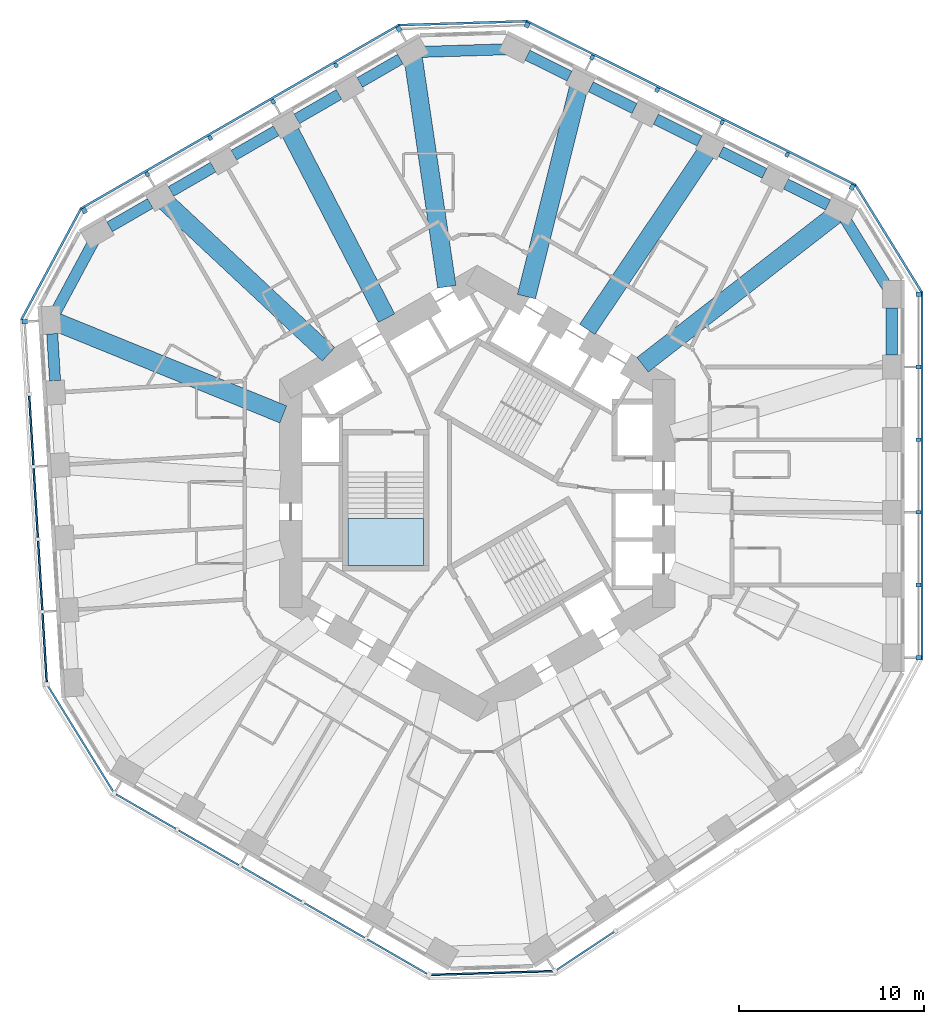
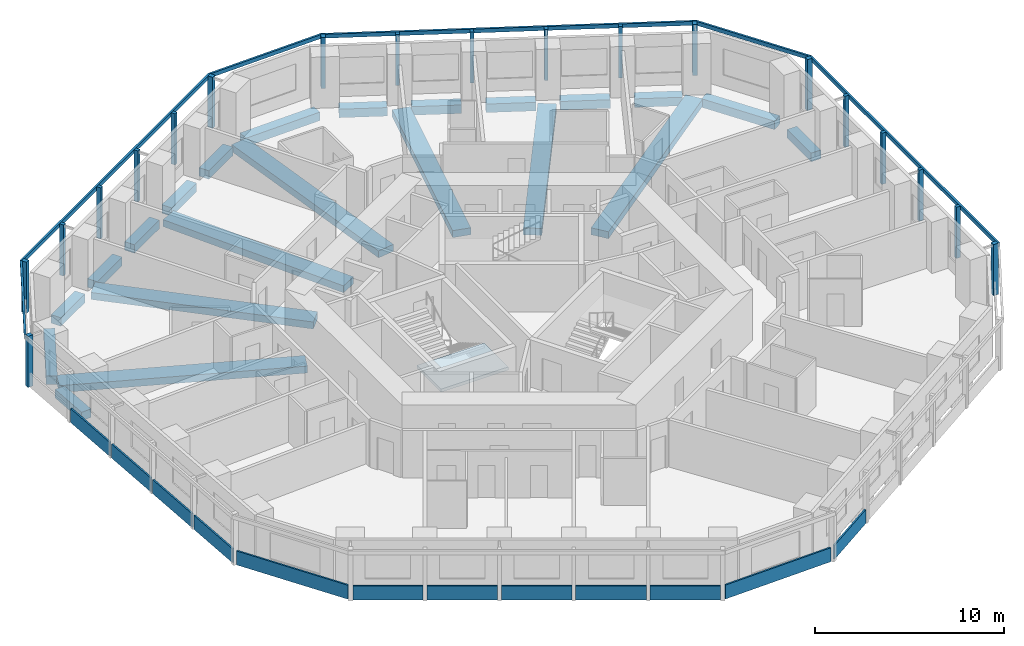
# One storey, part 2 of 12: 25 members, 22 beams, 12 plates, 1 slab, 12 elements without a shape of their own.
"""IFC4 building model written with IfcOpenShell, lengths in metres."""

import ifcopenshell
import ifcopenshell.guid

model = None  # the IFC model being written
_history = None  # IfcOwnerHistory: only IFC2X3 demands one
_inside = {}  # id of a spatial element -> (the spatial element, [elements in it])
_under = {}  # id of a project, library or spatial element -> (it, [spatial elements below it])
_declared = {}  # id of a project -> (the project, [libraries it declares])
_typed = {}  # id of a type object -> (the type object, [elements of that type])
_made_of = {}  # id of a material, layer set ... -> (it, [elements and type objects made of it])


def new_model(schema):
    """Start an empty IFC model of exactly this schema.

    Asked for "IFC4X3", IfcOpenShell would pick the latest addendum, in which some entities
    have other attributes; the version numbers below select the first issue.
    IFC2X3 requires an IfcOwnerHistory on every rooted entity: one is made here for all.
    """
    global model, _history
    if schema == "IFC4X3":
        model = ifcopenshell.file(schema_version=(4, 3, 0, 0))
    else:
        model = ifcopenshell.file(schema=schema)
    _inside.clear()
    _under.clear()
    _declared.clear()
    _typed.clear()
    _made_of.clear()
    _history = None
    if model.schema == "IFC2X3":
        org = make("IfcOrganization", Name="unknown")
        user = make(
            "IfcPersonAndOrganization",
            ThePerson=make("IfcPerson", FamilyName="unknown"),
            TheOrganization=org,
        )
        app = make(
            "IfcApplication",
            ApplicationDeveloper=org,
            Version="unknown",
            ApplicationFullName="unknown",
            ApplicationIdentifier="unknown",
        )
        _history = make(
            "IfcOwnerHistory",
            OwningUser=user,
            OwningApplication=app,
            ChangeAction="ADDED",
            CreationDate=0,
        )
    return model


def make(cls, **values):
    """One entity of the class cls with the attributes given. An attribute that is None is left unset."""
    return model.create_entity(
        cls, **{name: value for name, value in values.items() if value is not None}
    )


def rooted(cls, **values):
    """An entity with a GlobalId (a new one), such as an element, a storey or a relation."""
    return make(cls, GlobalId=ifcopenshell.guid.new(), OwnerHistory=_history, **values)


def si_unit(unit_type, name, prefix=None):
    """IfcSIUnit, for example si_unit("LENGTHUNIT", "METRE", prefix="MILLI")."""
    return make("IfcSIUnit", UnitType=unit_type, Prefix=prefix, Name=name)


def assignment(units):
    """IfcUnitAssignment: the units of a project."""
    return None if units is None else make("IfcUnitAssignment", Units=units)


def point(xyz):
    """IfcCartesianPoint."""
    return None if xyz is None else make("IfcCartesianPoint", Coordinates=xyz)


def direction(xyz):
    """IfcDirection."""
    return None if xyz is None else make("IfcDirection", DirectionRatios=xyz)


def frame(location, z_axis=None, x_axis=None):
    """IfcAxis2Placement3D, a coordinate frame: its origin and axes. An axis left out is left unset."""
    return make(
        "IfcAxis2Placement3D",
        Location=point(location),
        Axis=direction(z_axis),
        RefDirection=direction(x_axis),
    )


def frame_2d(location, x_axis=None):
    """IfcAxis2Placement2D, a coordinate frame in the plane: its origin and x axis."""
    return make(
        "IfcAxis2Placement2D", Location=point(location), RefDirection=direction(x_axis)
    )


def origin():
    """The frame at (0, 0, 0) with its axes left unset."""
    return frame((0.0, 0.0, 0.0))


def origin_2d():
    """The frame at (0, 0) in the plane with its x axis left unset."""
    return frame_2d((0.0, 0.0))


def place(relative_to, where):
    """IfcLocalPlacement: puts the frame where relative to a parent placement (None: the world)."""
    return make(
        "IfcLocalPlacement", PlacementRelTo=relative_to, RelativePlacement=where
    )


def context(
    kind, dimensions, precision=None, world=None, true_north=None, identifier=None
):
    """IfcGeometricRepresentationContext, for example the 3D "Model" context."""
    return make(
        "IfcGeometricRepresentationContext",
        ContextIdentifier=identifier,
        ContextType=kind,
        CoordinateSpaceDimension=dimensions,
        Precision=precision,
        WorldCoordinateSystem=world,
        TrueNorth=true_north,
    )


def subcontext(parent, identifier, kind, view, scale=None):
    """IfcGeometricRepresentationSubContext, for example "Body" below "Model"."""
    return make(
        "IfcGeometricRepresentationSubContext",
        ContextIdentifier=identifier,
        ContextType=kind,
        ParentContext=parent,
        TargetScale=scale,
        TargetView=view,
    )


def project(units=None, contexts=None):
    """IfcProject with its units and contexts."""
    return rooted(
        "IfcProject",
        Name="project",
        RepresentationContexts=contexts,
        UnitsInContext=assignment(units),
    )


def spatial(cls, under=None, at=None, **own):
    """A site, building, storey or space (cls), placed at a placement, below another one or the project."""
    s = rooted(cls, ObjectPlacement=at, **own)
    if under is not None:
        _under.setdefault(under.id(), (under, []))[1].append(s)
    return s


def polyline(points):
    """IfcPolyline through the points."""
    return make("IfcPolyline", Points=[point(p) for p in points])


def profile(cls, at=None, kind="AREA", **sizes):
    """A parametric profile (cls). Its sizes go by their IFC names, for example OverallWidth=200.0."""
    return make(cls, ProfileType=kind, Position=at, **sizes)


def rectangle(**sizes):
    """IfcRectangleProfileDef."""
    return profile("IfcRectangleProfileDef", **sizes)


def outline(outer, holes=None, kind="AREA"):
    """IfcArbitraryClosedProfileDef: a profile drawn as a closed curve; with holes, ...WithVoids."""
    if holes is None:
        return make("IfcArbitraryClosedProfileDef", ProfileType=kind, OuterCurve=outer)
    return make(
        "IfcArbitraryProfileDefWithVoids",
        ProfileType=kind,
        OuterCurve=outer,
        InnerCurves=holes,
    )


def extrude(swept, where, along, depth):
    """IfcExtrudedAreaSolid: the profile swept, set in the frame where, extruded along a direction by depth."""
    return make(
        "IfcExtrudedAreaSolid",
        SweptArea=swept,
        Position=where,
        ExtrudedDirection=direction(along),
        Depth=depth,
    )


def shape(context_of_items, identifier, shape_type, items):
    """IfcShapeRepresentation: the items that make up one representation, for example the "Body"."""
    return make(
        "IfcShapeRepresentation",
        ContextOfItems=context_of_items,
        RepresentationIdentifier=identifier,
        RepresentationType=shape_type,
        Items=items,
    )


def material(Name=None, Category=None):
    """IfcMaterial."""
    return make("IfcMaterial", Name=Name, Category=Category)


def layer(
    of_material, thickness, ventilated=None, Name=None, Category=None, Priority=None
):
    """IfcMaterialLayer: one layer of a wall or slab, of a material (None: an air gap)."""
    return make(
        "IfcMaterialLayer",
        Material=of_material,
        LayerThickness=thickness,
        IsVentilated=ventilated,
        Name=Name,
        Category=Category,
        Priority=Priority,
    )


def layer_set(layers, Name=None):
    """IfcMaterialLayerSet."""
    return make("IfcMaterialLayerSet", MaterialLayers=layers, LayerSetName=Name)


def material_profile(
    of_material, cross_section, Name=None, Category=None, Priority=None
):
    """IfcMaterialProfile: a cross section and its material."""
    return make(
        "IfcMaterialProfile",
        Name=Name,
        Material=of_material,
        Profile=cross_section,
        Priority=Priority,
        Category=Category,
    )


def profile_set(profiles, Name=None, composite=None):
    """IfcMaterialProfileSet."""
    return make(
        "IfcMaterialProfileSet",
        Name=Name,
        MaterialProfiles=profiles,
        CompositeProfile=composite,
    )


def made_of(thing, what):
    """Note that an element or type object is made of a material, layer set ...; save() writes the relation."""
    if what is not None:
        _made_of.setdefault(what.id(), (what, []))[1].append(thing)
    return thing


def type_object(cls, material=None, **own):
    """A type object (cls), such as IfcWallType, which elements share."""
    return made_of(rooted(cls, **own), material)


def element(
    cls,
    number,
    at=None,
    inside=None,
    cuts=None,
    type_object=None,
    material=None,
    context=None,
    identifier="Body",
    shape_type=None,
    held_by="IfcProductDefinitionShape",
    body=None,
    shapes=None,
    **own,
):
    """One element of the class cls, such as IfcWall. Its Tag is "e" and its number.

    at: its placement. inside: the storey or other place that contains it. cuts: it is an
    opening in that element (IfcRelVoidsElement). A single representation is given by context,
    identifier, shape_type and body (its items); several are given by shapes. held_by: the class
    of the entity that holds the representations. save() writes the other relations.
    """
    e = rooted(cls, Tag="e%d" % number, ObjectPlacement=at, **own)
    if body is not None:
        shapes = [shape(context, identifier, shape_type, body)]
    if shapes is not None:
        e.Representation = make(held_by, Representations=shapes)
    if inside is not None:
        _inside.setdefault(inside.id(), (inside, []))[1].append(e)
    if cuts is not None:
        rooted(
            "IfcRelVoidsElement", RelatingBuildingElement=cuts, RelatedOpeningElement=e
        )
    if type_object is not None:
        _typed.setdefault(type_object.id(), (type_object, []))[1].append(e)
    return made_of(e, material)


def aggregate(whole, parts):
    """IfcRelAggregates: a whole, such as a stair, and the parts it consists of."""
    return rooted("IfcRelAggregates", RelatingObject=whole, RelatedObjects=parts)


def save(model, path):
    """Write the relations noted so far, then the file.

    IfcRelAggregates (storeys below a building ...), IfcRelContainedInSpatialStructure (elements
    in a storey), IfcRelDefinesByType, IfcRelAssociatesMaterial and IfcRelDeclares: one each for
    every whole, place, type object, material and project.
    """
    for whole, parts in _under.values():
        aggregate(whole, parts)
    for where, things in _inside.values():
        rooted(
            "IfcRelContainedInSpatialStructure",
            RelatedElements=things,
            RelatingStructure=where,
        )
    for kind, things in _typed.values():
        rooted("IfcRelDefinesByType", RelatedObjects=things, RelatingType=kind)
    for what, things in _made_of.values():
        rooted("IfcRelAssociatesMaterial", RelatedObjects=things, RelatingMaterial=what)
    for by, libraries in _declared.values():
        rooted("IfcRelDeclares", RelatingContext=by, RelatedDefinitions=libraries)
    model.write(path)


model = new_model("IFC4")

# Units and contexts
model_context = context("Model", 3, precision=1e-05, world=origin(), true_north=direction((0.0, 1.0)))
body_context = subcontext(model_context, "Body", "Model", "MODEL_VIEW")
ifc_project = project(units=[si_unit("LENGTHUNIT", "METRE"), si_unit("AREAUNIT", "SQUARE_METRE"), si_unit("VOLUMEUNIT", "CUBIC_METRE"), si_unit("PLANEANGLEUNIT", "RADIAN"), si_unit("MASSUNIT", "GRAM", prefix="KILO")], contexts=[model_context])

# Site, building, storey
site_placement = place(None, origin())
site = spatial("IfcSite", under=ifc_project, at=site_placement, CompositionType="ELEMENT")
building_placement = place(site_placement, origin())
building = spatial("IfcBuilding", under=site, at=building_placement, Name="Vanh Sen Convention Tower", CompositionType="ELEMENT")
storey_placement = place(building_placement, frame((0.0, 0.0, 57.199951171875)))
storey = spatial("IfcBuildingStorey", under=building, at=storey_placement, Name="L11", CompositionType="ELEMENT", Elevation=57.199951171875)

# Curtain wall, members
ifc_material_1 = material(Name="Concrete C50/60", Category="concrete")
curtain_wall_type = type_object("IfcCurtainWallType", Name="Outer skin hotel zone", PredefinedType="NOTDEFINED", material=ifc_material_1)
curtain_wall_1_placement = place(storey_placement, origin())
curtain_wall_1 = element("IfcCurtainWall", 1, at=curtain_wall_1_placement, inside=storey, type_object=curtain_wall_type, Name="OUTER SKIN E L11", PredefinedType="NOTDEFINED")
ifc_material_profile_1 = material_profile(ifc_material_1, rectangle(XDim=0.25, YDim=0.300048828125, at=origin_2d()), Name="Outer skin precast corner fin 250 x 300")
ifc_profile_set_1 = profile_set([ifc_material_profile_1], Name="Concrete C50/60")
member_type_1 = type_object("IfcMemberType", Name="Outer skin precast corner fin 250 x 300", PredefinedType="MULLION", material=ifc_profile_set_1)
member_1_placement = place(storey_placement, frame((23.89990234375, -8.899169921875, 0.0), z_axis=(0.0, 0.0, 1.0), x_axis=(0.0, 1.0, 0.0)))
member_1 = element("IfcMember", 2, at=member_1_placement, type_object=member_type_1, Name="OUTER SKIN CORNER FIN 1 E L11", PredefinedType="MULLION", context=body_context, shape_type="SweptSolid", body=[
    extrude(rectangle(XDim=0.25, YDim=0.300048828125, at=origin_2d()), origin(), (0.0, 0.0, 1.0), 3.300048828125),
])
member_2_placement = place(storey_placement, frame((23.89990234375, 10.773681640625, 0.0), z_axis=(0.0, 0.0, 1.0), x_axis=(0.0, 1.0, 0.0)))
member_2 = element("IfcMember", 3, at=member_2_placement, type_object=member_type_1, Name="OUTER SKIN CORNER FIN 6 E L11", PredefinedType="MULLION", context=body_context, shape_type="SweptSolid", body=[
    extrude(rectangle(XDim=0.25, YDim=0.300048828125, at=origin_2d()), origin(), (0.0, 0.0, 1.0), 3.300048828125),
])

curtain_wall_2_placement = place(storey_placement, origin())
curtain_wall_2 = element("IfcCurtainWall", 4, at=curtain_wall_2_placement, inside=storey, type_object=curtain_wall_type, Name="OUTER SKIN NE L11", PredefinedType="NOTDEFINED")
member_3_placement = place(storey_placement, frame((20.305908203125, 16.581787109375, 0.0), z_axis=(0.0, 0.0, 1.0), x_axis=(-0.894934361602, 0.44619781311, 0.0)))
member_3 = element("IfcMember", 5, at=member_3_placement, type_object=member_type_1, Name="OUTER SKIN CORNER FIN 1 NE L11", PredefinedType="MULLION", context=body_context, shape_type="SweptSolid", body=[
    extrude(rectangle(XDim=0.25, YDim=0.300048828125, at=origin_2d()), origin(), (0.0, 0.0, 1.0), 3.300048828125),
])
member_4_placement = place(storey_placement, frame((2.699951171875, 25.35986328125, 0.0), z_axis=(0.0, 0.0, 1.0), x_axis=(-0.894934361602, 0.44619781311, 0.0)))
member_4 = element("IfcMember", 6, at=member_4_placement, type_object=member_type_1, Name="OUTER SKIN CORNER FIN 6 NE L11", PredefinedType="MULLION", context=body_context, shape_type="SweptSolid", body=[
    extrude(rectangle(XDim=0.25, YDim=0.300048828125, at=origin_2d()), origin(), (0.0, 0.0, 1.0), 3.300048828125),
])

curtain_wall_3_placement = place(storey_placement, origin())
curtain_wall_3 = element("IfcCurtainWall", 7, at=curtain_wall_3_placement, inside=storey, type_object=curtain_wall_type, Name="OUTER SKIN NW L11", PredefinedType="NOTDEFINED")
member_5_placement = place(storey_placement, frame((-4.242919921875, 25.147705078125, 0.0), z_axis=(0.0, 0.0, 1.0), x_axis=(-0.866025403784, -0.5, 0.0)))
member_5 = element("IfcMember", 8, at=member_5_placement, type_object=member_type_1, Name="OUTER SKIN CORNER FIN 1 NW L11", PredefinedType="MULLION", context=body_context, shape_type="SweptSolid", body=[
    extrude(rectangle(XDim=0.25, YDim=0.300048828125, at=origin_2d()), origin(), (0.0, 0.0, 1.0), 3.300048828125),
])
member_6_placement = place(storey_placement, frame((-21.2802734375, 15.31103515625, 0.0), z_axis=(0.0, 0.0, 1.0), x_axis=(-0.866025403784, -0.5, 0.0)))
member_6 = element("IfcMember", 9, at=member_6_placement, type_object=member_type_1, Name="OUTER SKIN CORNER FIN 6 NW L11", PredefinedType="MULLION", context=body_context, shape_type="SweptSolid", body=[
    extrude(rectangle(XDim=0.25, YDim=0.300048828125, at=origin_2d()), origin(), (0.0, 0.0, 1.0), 3.300048828125),
])

# Curtain wall, member
curtain_wall_4_placement = place(storey_placement, origin())
curtain_wall_4 = element("IfcCurtainWall", 10, at=curtain_wall_4_placement, inside=storey, type_object=curtain_wall_type, Name="OUTER SKIN W L11", PredefinedType="NOTDEFINED")
member_7_placement = place(storey_placement, frame((-24.51318359375, 9.294677734375, 0.0), z_axis=(0.0, 0.0, 1.0), x_axis=(0.061048539535, -0.998134798422, 0.0)))
member_7 = element("IfcMember", 11, at=member_7_placement, type_object=member_type_1, Name="OUTER SKIN CORNER FIN 1 W L11", PredefinedType="MULLION", context=body_context, shape_type="SweptSolid", body=[
    extrude(rectangle(XDim=0.25, YDim=0.300048828125, at=origin_2d()), origin(), (0.0, 0.0, 1.0), 3.300048828125),
])

# Member
ifc_material_profile_2 = material_profile(ifc_material_1, rectangle(XDim=0.199951171875, YDim=0.25, at=origin_2d()), Name="Outer skin precast fin 200 x 250")
ifc_profile_set_2 = profile_set([ifc_material_profile_2], Name="Concrete C50/60")
member_type_2 = type_object("IfcMemberType", Name="Outer skin precast fin 200 x 250", PredefinedType="MULLION", material=ifc_profile_set_2)
member_8_placement = place(storey_placement, frame((23.89990234375, -4.964599609375, 0.0), z_axis=(0.0, 0.0, 1.0), x_axis=(0.0, 1.0, 0.0)))
member_8 = element("IfcMember", 12, at=member_8_placement, type_object=member_type_2, Name="OUTER SKIN fin 2 E L11", PredefinedType="MULLION", context=body_context, shape_type="SweptSolid", body=[
    extrude(rectangle(XDim=0.199951171875, YDim=0.25, at=origin_2d()), origin(), (0.0, 0.0, 1.0), 3.300048828125),
])

member_9_placement = place(storey_placement, frame((23.89990234375, -1.030029296875, 0.0), z_axis=(0.0, 0.0, 1.0), x_axis=(0.0, 1.0, 0.0)))
member_9 = element("IfcMember", 13, at=member_9_placement, type_object=member_type_2, Name="OUTER SKIN fin 3 E L11", PredefinedType="MULLION", context=body_context, shape_type="SweptSolid", body=[
    extrude(rectangle(XDim=0.199951171875, YDim=0.25, at=origin_2d()), origin(), (0.0, 0.0, 1.0), 3.300048828125),
])

member_10_placement = place(storey_placement, frame((23.89990234375, 2.904541015625, 0.0), z_axis=(0.0, 0.0, 1.0), x_axis=(0.0, 1.0, 0.0)))
member_10 = element("IfcMember", 14, at=member_10_placement, type_object=member_type_2, Name="OUTER SKIN fin 4 E L11", PredefinedType="MULLION", context=body_context, shape_type="SweptSolid", body=[
    extrude(rectangle(XDim=0.199951171875, YDim=0.25, at=origin_2d()), origin(), (0.0, 0.0, 1.0), 3.300048828125),
])

member_11_placement = place(storey_placement, frame((23.89990234375, 6.839111328125, 0.0), z_axis=(0.0, 0.0, 1.0), x_axis=(0.0, 1.0, 0.0)))
member_11 = element("IfcMember", 15, at=member_11_placement, type_object=member_type_2, Name="OUTER SKIN fin 5 E L11", PredefinedType="MULLION", context=body_context, shape_type="SweptSolid", body=[
    extrude(rectangle(XDim=0.199951171875, YDim=0.25, at=origin_2d()), origin(), (0.0, 0.0, 1.0), 3.300048828125),
])

member_12_placement = place(storey_placement, frame((16.78466796875, 18.33740234375, 0.0), z_axis=(0.0, 0.0, 1.0), x_axis=(-0.894934361602, 0.44619781311, 0.0)))
member_12 = element("IfcMember", 16, at=member_12_placement, type_object=member_type_2, Name="OUTER SKIN fin 2 NE L11", PredefinedType="MULLION", context=body_context, shape_type="SweptSolid", body=[
    extrude(rectangle(XDim=0.199951171875, YDim=0.25, at=origin_2d()), origin(), (0.0, 0.0, 1.0), 3.300048828125),
])

member_13_placement = place(storey_placement, frame((13.263427734375, 20.093017578125, 0.0), z_axis=(0.0, 0.0, 1.0), x_axis=(-0.894934361602, 0.44619781311, 0.0)))
member_13 = element("IfcMember", 17, at=member_13_placement, type_object=member_type_2, Name="OUTER SKIN fin 3 NE L11", PredefinedType="MULLION", context=body_context, shape_type="SweptSolid", body=[
    extrude(rectangle(XDim=0.199951171875, YDim=0.25, at=origin_2d()), origin(), (0.0, 0.0, 1.0), 3.300048828125),
])

member_14_placement = place(storey_placement, frame((9.7421875, 21.8486328125, 0.0), z_axis=(0.0, 0.0, 1.0), x_axis=(-0.894934361602, 0.44619781311, 0.0)))
member_14 = element("IfcMember", 18, at=member_14_placement, type_object=member_type_2, Name="OUTER SKIN fin 4 NE L11", PredefinedType="MULLION", context=body_context, shape_type="SweptSolid", body=[
    extrude(rectangle(XDim=0.199951171875, YDim=0.25, at=origin_2d()), origin(), (0.0, 0.0, 1.0), 3.300048828125),
])

member_15_placement = place(storey_placement, frame((6.22119140625, 23.604248046875, 0.0), z_axis=(0.0, 0.0, 1.0), x_axis=(-0.894934361602, 0.44619781311, 0.0)))
member_15 = element("IfcMember", 19, at=member_15_placement, type_object=member_type_2, Name="OUTER SKIN fin 5 NE L11", PredefinedType="MULLION", context=body_context, shape_type="SweptSolid", body=[
    extrude(rectangle(XDim=0.199951171875, YDim=0.25, at=origin_2d()), origin(), (0.0, 0.0, 1.0), 3.300048828125),
])

member_16_placement = place(storey_placement, frame((-7.650390625, 23.180419921875, 0.0), z_axis=(0.0, 0.0, 1.0), x_axis=(-0.866025403784, -0.5, 0.0)))
member_16 = element("IfcMember", 20, at=member_16_placement, type_object=member_type_2, Name="OUTER SKIN fin 2 NW L11", PredefinedType="MULLION", context=body_context, shape_type="SweptSolid", body=[
    extrude(rectangle(XDim=0.199951171875, YDim=0.25, at=origin_2d()), origin(), (0.0, 0.0, 1.0), 3.300048828125),
])

member_17_placement = place(storey_placement, frame((-11.057861328125, 21.212890625, 0.0), z_axis=(0.0, 0.0, 1.0), x_axis=(-0.866025403784, -0.5, 0.0)))
member_17 = element("IfcMember", 21, at=member_17_placement, type_object=member_type_2, Name="OUTER SKIN fin 3 NW L11", PredefinedType="MULLION", context=body_context, shape_type="SweptSolid", body=[
    extrude(rectangle(XDim=0.199951171875, YDim=0.25, at=origin_2d()), origin(), (0.0, 0.0, 1.0), 3.300048828125),
])

member_18_placement = place(storey_placement, frame((-14.46533203125, 19.24560546875, 0.0), z_axis=(0.0, 0.0, 1.0), x_axis=(-0.866025403784, -0.5, 0.0)))
member_18 = element("IfcMember", 22, at=member_18_placement, type_object=member_type_2, Name="OUTER SKIN fin 4 NW L11", PredefinedType="MULLION", context=body_context, shape_type="SweptSolid", body=[
    extrude(rectangle(XDim=0.199951171875, YDim=0.25, at=origin_2d()), origin(), (0.0, 0.0, 1.0), 3.300048828125),
])

member_19_placement = place(storey_placement, frame((-17.872802734375, 17.2783203125, 0.0), z_axis=(0.0, 0.0, 1.0), x_axis=(-0.866025403784, -0.5, 0.0)))
member_19 = element("IfcMember", 23, at=member_19_placement, type_object=member_type_2, Name="OUTER SKIN fin 5 NW L11", PredefinedType="MULLION", context=body_context, shape_type="SweptSolid", body=[
    extrude(rectangle(XDim=0.199951171875, YDim=0.25, at=origin_2d()), origin(), (0.0, 0.0, 1.0), 3.300048828125),
])

ifc_material_profile_3 = material_profile(ifc_material_1, rectangle(XDim=0.1201171875, YDim=0.25, at=origin_2d()), Name="Outer skin precast spandrel band 250 x 120")
ifc_profile_set_3 = profile_set([ifc_material_profile_3], Name="Concrete C50/60")
member_type_3 = type_object("IfcMemberType", Name="Outer skin precast spandrel band 250 x 120", PredefinedType="USERDEFINED", material=ifc_profile_set_3)
member_20_placement = place(storey_placement, frame((24.0849609375, -9.024169921875, 3.175048828125), z_axis=(0.0, 1.0, 0.0), x_axis=(-1.0, 0.0, 0.0)))
member_20 = element("IfcMember", 24, at=member_20_placement, type_object=member_type_3, Name="OUTER SKIN spandrel band E L11", ObjectType="TRANSOM", PredefinedType="USERDEFINED", context=body_context, shape_type="SweptSolid", body=[
    extrude(rectangle(XDim=0.1201171875, YDim=0.25, at=origin_2d()), origin(), (0.0, 0.0, 1.0), 19.9228515625),
])

aggregate(curtain_wall_1, [member_1, member_8, member_9, member_10, member_11, member_2, member_20])

# Curtain wall, member
curtain_wall_5_placement = place(storey_placement, origin())
curtain_wall_5 = element("IfcCurtainWall", 25, at=curtain_wall_5_placement, inside=storey, type_object=curtain_wall_type, Name="OUTER SKIN CH1 L11", PredefinedType="NOTDEFINED")
member_21_placement = place(storey_placement, frame((24.07861328125, 10.88427734375, 3.175048828125), z_axis=(-0.526195864379, 0.850363400148, 0.0), x_axis=(-0.850363400148, -0.526195864379, 0.0)))
member_21 = element("IfcMember", 26, at=member_21_placement, type_object=member_type_3, Name="OUTER SKIN spandrel band CH1 L11", ObjectType="TRANSOM", PredefinedType="USERDEFINED", context=body_context, shape_type="SweptSolid", body=[
    extrude(rectangle(XDim=0.1201171875, YDim=0.25, at=origin_2d()), origin(), (0.0, 0.0, 1.0), 6.830078125),
])
aggregate(curtain_wall_5, [member_21])

# Member
member_22_placement = place(storey_placement, frame((20.500244140625, 16.69140625, 3.175048828125), z_axis=(-0.894931498167, 0.446203556227, 0.0), x_axis=(-0.446203556227, -0.894931498167, 0.0)))
member_22 = element("IfcMember", 27, at=member_22_placement, type_object=member_type_3, Name="OUTER SKIN spandrel band NE L11", ObjectType="TRANSOM", PredefinedType="USERDEFINED", context=body_context, shape_type="SweptSolid", body=[
    extrude(rectangle(XDim=0.1201171875, YDim=0.25, at=origin_2d()), origin(), (0.0, 0.0, 1.0), 19.9228515625),
])

aggregate(curtain_wall_2, [member_3, member_12, member_13, member_14, member_15, member_4, member_22])

# Curtain wall, member
curtain_wall_6_placement = place(storey_placement, origin())
curtain_wall_6 = element("IfcCurtainWall", 28, at=curtain_wall_6_placement, inside=storey, type_object=curtain_wall_type, Name="OUTER SKIN CH2 L11", PredefinedType="NOTDEFINED")
member_23_placement = place(storey_placement, frame((2.693603515625, 25.569580078125, 3.175048828125), z_axis=(-0.999533472857, -0.030542374483, 0.0), x_axis=(0.030542374483, -0.999533472857, 0.0)))
member_23 = element("IfcMember", 29, at=member_23_placement, type_object=member_type_3, Name="OUTER SKIN spandrel band CH2 L11", ObjectType="TRANSOM", PredefinedType="USERDEFINED", context=body_context, shape_type="SweptSolid", body=[
    extrude(rectangle(XDim=0.1201171875, YDim=0.25, at=origin_2d()), origin(), (0.0, 0.0, 1.0), 6.9462890625),
])
aggregate(curtain_wall_6, [member_23])

# Member
member_24_placement = place(storey_placement, frame((-4.227294921875, 25.370361328125, 3.175048828125), z_axis=(-0.866028047459, -0.499995420993, 0.0), x_axis=(0.499995420993, -0.866028047459, 0.0)))
member_24 = element("IfcMember", 30, at=member_24_placement, type_object=member_type_3, Name="OUTER SKIN spandrel band NW L11", ObjectType="TRANSOM", PredefinedType="USERDEFINED", context=body_context, shape_type="SweptSolid", body=[
    extrude(rectangle(XDim=0.1201171875, YDim=0.25, at=origin_2d()), origin(), (0.0, 0.0, 1.0), 19.923095703125),
])

aggregate(curtain_wall_3, [member_5, member_16, member_17, member_18, member_19, member_6, member_24])

# Curtain wall, member
curtain_wall_7_placement = place(storey_placement, origin())
curtain_wall_7 = element("IfcCurtainWall", 31, at=curtain_wall_7_placement, inside=storey, type_object=curtain_wall_type, Name="OUTER SKIN CH3 L11", PredefinedType="NOTDEFINED")
member_25_placement = place(storey_placement, frame((-21.46533203125, 15.410400390625, 3.175048828125), z_axis=(-0.473315186561, -0.880893145717, 0.0), x_axis=(0.880893145717, -0.473315186561, 0.0)))
member_25 = element("IfcMember", 32, at=member_25_placement, type_object=member_type_3, Name="OUTER SKIN spandrel band CH3 L11", ObjectType="TRANSOM", PredefinedType="USERDEFINED", context=body_context, shape_type="SweptSolid", body=[
    extrude(rectangle(XDim=0.1201171875, YDim=0.25, at=origin_2d()), origin(), (0.0, 0.0, 1.0), 6.829833984375),
])
aggregate(curtain_wall_7, [member_25])

# Beams
ifc_material_2 = material(Name="Concrete C50/60", Category="concrete")
ifc_material_profile_4 = material_profile(ifc_material_2, rectangle(XDim=1.0, YDim=0.449951171875, at=origin_2d()), Name="RC 1000X450")
ifc_profile_set_4 = profile_set([ifc_material_profile_4], Name="Concrete C50/60")
beam_type_1 = type_object("IfcBeamType", Name="Radial floor beam 1000 x 450", PredefinedType="BEAM", material=ifc_profile_set_4)
beam_1_placement = place(storey_placement, frame((19.41455078125, 15.093994140625, -0.474853515625), z_axis=(-0.789473256885, -0.613784959627, 0.0), x_axis=(0.613784959627, -0.789473256885, 0.0)))
element("IfcBeam", 33, at=beam_1_placement, inside=storey, type_object=beam_type_1, Name="Radial beam 04 L11", PredefinedType="BEAM", context=body_context, shape_type="SweptSolid", body=[
    extrude(rectangle(XDim=1.0, YDim=0.449951171875, at=origin_2d()), origin(), (0.0, 0.0, 1.0), 13.248779296875),
])
beam_2_placement = place(storey_placement, frame((12.374267578125, 18.4345703125, -0.474853515625), z_axis=(-0.557324389615, -0.830294842053, 0.0), x_axis=(0.830294842053, -0.557324389615, 0.0)))
element("IfcBeam", 34, at=beam_2_placement, inside=storey, type_object=beam_type_1, Name="Radial beam 05 L11", PredefinedType="BEAM", context=body_context, shape_type="SweptSolid", body=[
    extrude(rectangle(XDim=1.0, YDim=0.449951171875, at=origin_2d()), origin(), (0.0, 0.0, 1.0), 11.51708984375),
])
beam_3_placement = place(storey_placement, frame((5.47802734375, 21.921875, -0.474853515625), z_axis=(-0.242426812684, -0.97016969675, 0.0), x_axis=(0.97016969675, -0.242426812684, 0.0)))
element("IfcBeam", 35, at=beam_3_placement, inside=storey, type_object=beam_type_1, Name="Radial beam 06 L11", PredefinedType="BEAM", context=body_context, shape_type="SweptSolid", body=[
    extrude(rectangle(XDim=1.0, YDim=0.449951171875, at=origin_2d()), origin(), (0.0, 0.0, 1.0), 11.614501953125),
])
beam_4_placement = place(storey_placement, frame((-3.46923828125, 23.560791015625, -0.474853515625), z_axis=(0.145669310946, -0.989333337075, 0.0), x_axis=(0.989333337075, 0.145669310946, 0.0)))
element("IfcBeam", 36, at=beam_4_placement, inside=storey, type_object=beam_type_1, Name="Radial beam 07 L11", PredefinedType="BEAM", context=body_context, shape_type="SweptSolid", body=[
    extrude(rectangle(XDim=1.0, YDim=0.449951171875, at=origin_2d()), origin(), (0.0, 0.0, 1.0), 12.5078125),
])
beam_5_placement = place(storey_placement, frame((-10.115478515625, 19.53759765625, -0.474853515625), z_axis=(0.459758563435, -0.8880439535, 0.0), x_axis=(0.8880439535, 0.459758563435, 0.0)))
element("IfcBeam", 37, at=beam_5_placement, inside=storey, type_object=beam_type_1, Name="Radial beam 08 L11", PredefinedType="BEAM", context=body_context, shape_type="SweptSolid", body=[
    extrude(rectangle(XDim=1.0, YDim=0.449951171875, at=origin_2d()), origin(), (0.0, 0.0, 1.0), 11.317626953125),
])
beam_6_placement = place(storey_placement, frame((-16.880859375, 15.773193359375, -0.474853515625), z_axis=(0.730669888391, -0.682730923717, 0.0), x_axis=(0.682730923717, 0.730669888391, 0.0)))
element("IfcBeam", 38, at=beam_6_placement, inside=storey, type_object=beam_type_1, Name="Radial beam 09 L11", PredefinedType="BEAM", context=body_context, shape_type="SweptSolid", body=[
    extrude(rectangle(XDim=1.0, YDim=0.449951171875, at=origin_2d()), origin(), (0.0, 0.0, 1.0), 12.074951171875),
])
beam_7_placement = place(storey_placement, frame((-22.779052734375, 9.266357421875, -0.474853515625), z_axis=(0.926290168233, -0.376810992719, 0.0), x_axis=(0.376810992719, 0.926290168233, 0.0)))
element("IfcBeam", 39, at=beam_7_placement, inside=storey, type_object=beam_type_1, Name="Radial beam 10 L11", PredefinedType="BEAM", context=body_context, shape_type="SweptSolid", body=[
    extrude(rectangle(XDim=1.0, YDim=0.449951171875, at=origin_2d()), origin(), (0.0, 0.0, 1.0), 13.24853515625),
])
ifc_material_profile_5 = material_profile(ifc_material_2, rectangle(XDim=0.60009765625, YDim=0.550048828125, at=origin_2d()), Name="RC 600X550")
ifc_profile_set_5 = profile_set([ifc_material_profile_5], Name="Concrete C50/60")
beam_type_2 = type_object("IfcBeamType", Name="Spandrel beam 600 x 550", PredefinedType="SPANDREL", material=ifc_profile_set_5)
beam_8_placement = place(storey_placement, frame((22.449951171875, 7.484130859375, -0.52490234375), z_axis=(0.0, 1.0, 0.0), x_axis=(-1.0, 0.0, 0.0)))
element("IfcBeam", 40, at=beam_8_placement, inside=storey, type_object=beam_type_2, Name="Spandrel beam 05 L11", PredefinedType="SPANDREL", context=body_context, shape_type="SweptSolid", body=[
    extrude(rectangle(XDim=0.60009765625, YDim=0.550048828125, at=origin_2d()), origin(), (0.0, 0.0, 1.0), 2.544677734375),
])
beam_9_placement = place(storey_placement, frame((22.207763671875, 11.165283203125, -0.52490234375), z_axis=(-0.526233808765, 0.850339919392, 0.0), x_axis=(-0.850339919392, -0.526233808765, 0.0)))
element("IfcBeam", 41, at=beam_9_placement, inside=storey, type_object=beam_type_2, Name="Spandrel beam 06 L11", PredefinedType="SPANDREL", context=body_context, shape_type="SweptSolid", body=[
    extrude(rectangle(XDim=0.60009765625, YDim=0.550048828125, at=origin_2d()), origin(), (0.0, 0.0, 1.0), 4.38330078125),
])
beam_10_placement = place(storey_placement, frame((18.9921875, 15.616455078125, -0.52490234375), z_axis=(-0.89492552091, 0.446215544356, 0.0), x_axis=(-0.446215544356, -0.89492552091, 0.0)))
element("IfcBeam", 42, at=beam_10_placement, inside=storey, type_object=beam_type_2, Name="Spandrel beam 07 L11", PredefinedType="SPANDREL", context=body_context, shape_type="SweptSolid", body=[
    extrude(rectangle(XDim=0.60009765625, YDim=0.550048828125, at=origin_2d()), origin(), (0.0, 0.0, 1.0), 2.544677734375),
])
beam_11_placement = place(storey_placement, frame((15.560546875, 17.327392578125, -0.52490234375), z_axis=(-0.894925098079, 0.446216392379, 0.0), x_axis=(-0.446216392379, -0.894925098079, 0.0)))
element("IfcBeam", 43, at=beam_11_placement, inside=storey, type_object=beam_type_2, Name="Spandrel beam 08 L11", PredefinedType="SPANDREL", context=body_context, shape_type="SweptSolid", body=[
    extrude(rectangle(XDim=0.60009765625, YDim=0.550048828125, at=origin_2d()), origin(), (0.0, 0.0, 1.0), 2.644775390625),
])
for number, where, z_axis, x_axis, name in (
    (44, (12.039306640625, 19.0830078125, -0.52490234375), (-0.894906716461, 0.446253256383, 0.0), (-0.446253256383, -0.894906716461, 0.0), "Spandrel beam 09 L11"),
    (45, (8.51806640625, 20.838623046875, -0.52490234375), (-0.894906716461, 0.446253256383, 0.0), (-0.446253256383, -0.894906716461, 0.0), "Spandrel beam 10 L11"),
):
    element("IfcBeam", number, at=place(storey_placement, frame(where, z_axis=z_axis, x_axis=x_axis)), inside=storey, type_object=beam_type_2, Name=name, PredefinedType="SPANDREL", context=body_context, shape_type="SweptSolid", body=[
        extrude(rectangle(XDim=0.60009765625, YDim=0.550048828125, at=origin_2d()), origin(), (0.0, 0.0, 1.0), 2.64453125),
    ])
beam_12_placement = place(storey_placement, frame((4.996826171875, 22.59423828125, -0.52490234375), z_axis=(-0.89492552091, 0.446215544356, 0.0), x_axis=(-0.446215544356, -0.89492552091, 0.0)))
element("IfcBeam", 46, at=beam_12_placement, inside=storey, type_object=beam_type_2, Name="Spandrel beam 11 L11", PredefinedType="SPANDREL", context=body_context, shape_type="SweptSolid", body=[
    extrude(rectangle(XDim=0.60009765625, YDim=0.550048828125, at=origin_2d()), origin(), (0.0, 0.0, 1.0), 2.544677734375),
])
beam_13_placement = place(storey_placement, frame((1.56005859375, 24.047119140625, -0.52490234375), z_axis=(-0.99953328448, -0.030548538698, 0.0), x_axis=(0.030548538698, -0.99953328448, 0.0)))
element("IfcBeam", 47, at=beam_13_placement, inside=storey, type_object=beam_type_2, Name="Spandrel beam 12 L11", PredefinedType="SPANDREL", context=body_context, shape_type="SweptSolid", body=[
    extrude(rectangle(XDim=0.60009765625, YDim=0.550048828125, at=origin_2d()), origin(), (0.0, 0.0, 1.0), 4.58740234375),
])
beam_14_placement = place(storey_placement, frame((-4.1630859375, 23.519287109375, -0.52490234375), z_axis=(-0.866056180903, -0.499946688677, 0.0), x_axis=(0.499946688677, -0.866056180903, 0.0)))
element("IfcBeam", 48, at=beam_14_placement, inside=storey, type_object=beam_type_2, Name="Spandrel beam 13 L11", PredefinedType="SPANDREL", context=body_context, shape_type="SweptSolid", body=[
    extrude(rectangle(XDim=0.60009765625, YDim=0.550048828125, at=origin_2d()), origin(), (0.0, 0.0, 1.0), 2.544677734375),
])
for number, where, z_axis, x_axis, name in (
    (49, (-7.484130859375, 21.60205078125, -0.52490234375), (-0.866030315638, -0.499991492324, 0.0), (0.499991492324, -0.866030315638, 0.0), "Spandrel beam 14 L11"),
    (50, (-10.8916015625, 19.634765625, -0.52490234375), (-0.866030315638, -0.499991492324, 0.0), (0.499991492324, -0.866030315638, 0.0), "Spandrel beam 15 L11"),
    (51, (-14.299072265625, 17.66748046875, -0.52490234375), (-0.866030315638, -0.499991492324, 0.0), (0.499991492324, -0.866030315638, 0.0), "Spandrel beam 16 L11"),
):
    element("IfcBeam", number, at=place(storey_placement, frame(where, z_axis=z_axis, x_axis=x_axis)), inside=storey, type_object=beam_type_2, Name=name, PredefinedType="SPANDREL", context=body_context, shape_type="SweptSolid", body=[
        extrude(rectangle(XDim=0.60009765625, YDim=0.550048828125, at=origin_2d()), origin(), (0.0, 0.0, 1.0), 2.64453125),
    ])
beam_15_placement = place(storey_placement, frame((-17.70654296875, 15.7001953125, -0.52490234375), z_axis=(-0.866032197868, -0.499988232117, 0.0), x_axis=(0.499988232117, -0.866032197868, 0.0)))
element("IfcBeam", 52, at=beam_15_placement, inside=storey, type_object=beam_type_2, Name="Spandrel beam 17 L11", PredefinedType="SPANDREL", context=body_context, shape_type="SweptSolid", body=[
    extrude(rectangle(XDim=0.60009765625, YDim=0.550048828125, at=origin_2d()), origin(), (0.0, 0.0, 1.0), 2.54443359375),
])
beam_16_placement = place(storey_placement, frame((-20.773193359375, 13.64990234375, -0.52490234375), z_axis=(-0.47333237284, -0.880883911093, 0.0), x_axis=(0.880883911093, -0.47333237284, 0.0)))
element("IfcBeam", 53, at=beam_16_placement, inside=storey, type_object=beam_type_2, Name="Spandrel beam 18 L11", PredefinedType="SPANDREL", context=body_context, shape_type="SweptSolid", body=[
    extrude(rectangle(XDim=0.60009765625, YDim=0.550048828125, at=origin_2d()), origin(), (0.0, 0.0, 1.0), 4.38330078125),
])
beam_17_placement = place(storey_placement, frame((-23.020263671875, 8.639404296875, -0.52490234375), z_axis=(0.061022277531, -0.998136404328, 0.0), x_axis=(0.998136404328, 0.061022277531, 0.0)))
element("IfcBeam", 54, at=beam_17_placement, inside=storey, type_object=beam_type_2, Name="Spandrel beam 19 L11", PredefinedType="SPANDREL", context=body_context, shape_type="SweptSolid", body=[
    extrude(rectangle(XDim=0.60009765625, YDim=0.550048828125, at=origin_2d()), origin(), (0.0, 0.0, 1.0), 2.54443359375),
])

# Plate
ifc_layer_1 = layer(ifc_material_1, 0.10009765625)
ifc_layer_set_1 = layer_set([ifc_layer_1], Name="Concrete C50/60")
plate_type = type_object("IfcPlateType", Name="Outer skin precast screen panel 100", PredefinedType="CURTAIN_PANEL", material=ifc_layer_set_1)
plate_1_placement = place(storey_placement, frame((-24.15283203125, 3.40380859375, 0.0), z_axis=(0.0, 0.0, 1.0), x_axis=(0.061048539535, -0.998134798422, 0.0)))
plate_1 = element("IfcPlate", 55, at=plate_1_placement, type_object=plate_type, Name="OUTER SKIN screen panel W-2", PredefinedType="CURTAIN_PANEL", context=body_context, shape_type="SweptSolid", body=[
    extrude(rectangle(XDim=3.734619140625, YDim=0.10009765625, at=origin_2d()), origin(), (0.0, 0.0, 1.0), 0.89990234375),
])

plate_2_placement = place(storey_placement, frame((-23.91259765625, -0.523681640625, 0.0), z_axis=(0.0, 0.0, 1.0), x_axis=(0.061046797461, -0.99813490497, 0.0)))
plate_2 = element("IfcPlate", 56, at=plate_2_placement, type_object=plate_type, Name="OUTER SKIN screen panel W-3", PredefinedType="CURTAIN_PANEL", context=body_context, shape_type="SweptSolid", body=[
    extrude(rectangle(XDim=3.734619140625, YDim=0.10009765625, at=origin_2d()), origin(), (0.0, 0.0, 1.0), 0.89990234375),
])

plate_3_placement = place(storey_placement, frame((-23.67236328125, -4.45068359375, 0.0), z_axis=(0.0, 0.0, 1.0), x_axis=(0.061048539535, -0.998134798422, 0.0)))
plate_3 = element("IfcPlate", 57, at=plate_3_placement, type_object=plate_type, Name="OUTER SKIN screen panel W-4", PredefinedType="CURTAIN_PANEL", context=body_context, shape_type="SweptSolid", body=[
    extrude(rectangle(XDim=3.734619140625, YDim=0.10009765625, at=origin_2d()), origin(), (0.0, 0.0, 1.0), 0.89990234375),
])

plate_4_placement = place(storey_placement, frame((-23.43310546875, -8.365478515625, 0.0), z_axis=(0.0, 0.0, 1.0), x_axis=(0.061046797461, -0.99813490497, 0.0)))
plate_4 = element("IfcPlate", 58, at=plate_4_placement, type_object=plate_type, Name="OUTER SKIN screen panel W-5", PredefinedType="CURTAIN_PANEL", context=body_context, shape_type="SweptSolid", body=[
    extrude(rectangle(XDim=3.709716796875, YDim=0.10009765625, at=origin_2d()), origin(), (0.0, 0.0, 1.0), 0.89990234375),
])

aggregate(curtain_wall_4, [member_7, plate_1, plate_2, plate_3, plate_4])

# Curtain wall, plate
curtain_wall_8_placement = place(storey_placement, origin())
curtain_wall_8 = element("IfcCurtainWall", 59, at=curtain_wall_8_placement, inside=storey, type_object=curtain_wall_type, Name="OUTER SKIN CH4 L11", PredefinedType="NOTDEFINED")
plate_5_placement = place(storey_placement, frame((-21.484619140625, -13.295166015625, 0.0), z_axis=(0.0, 0.0, 1.0), x_axis=(0.526205018755, -0.850357735448, 0.0)))
plate_5 = element("IfcPlate", 60, at=plate_5_placement, type_object=plate_type, Name="OUTER SKIN screen panel CH4-1", PredefinedType="CURTAIN_PANEL", context=body_context, shape_type="SweptSolid", body=[
    extrude(rectangle(XDim=6.6962890625, YDim=0.10009765625, at=origin_2d()), origin(), (0.0, 0.0, 1.0), 0.89990234375),
])
aggregate(curtain_wall_8, [plate_5])

# Curtain wall, plates
curtain_wall_9_placement = place(storey_placement, origin())
curtain_wall_9 = element("IfcCurtainWall", 61, at=curtain_wall_9_placement, inside=storey, type_object=curtain_wall_type, Name="OUTER SKIN SW L11", PredefinedType="NOTDEFINED")
plate_6_placement = place(storey_placement, frame((-17.9423828125, -17.23828125, 0.0), z_axis=(0.0, 0.0, 1.0), x_axis=(0.866028021766, -0.499995465495, 0.0)))
plate_6 = element("IfcPlate", 62, at=plate_6_placement, type_object=plate_type, Name="OUTER SKIN screen panel SW-1", PredefinedType="CURTAIN_PANEL", context=body_context, shape_type="SweptSolid", body=[
    extrude(rectangle(XDim=3.709716796875, YDim=0.10009765625, at=origin_2d()), origin(), (0.0, 0.0, 1.0), 0.89990234375),
])
plate_7_placement = place(storey_placement, frame((-14.5458984375, -19.19921875, 0.0), z_axis=(0.0, 0.0, 1.0), x_axis=(0.866032385017, -0.499987907955, 0.0)))
plate_7 = element("IfcPlate", 63, at=plate_7_placement, type_object=plate_type, Name="OUTER SKIN screen panel SW-2", PredefinedType="CURTAIN_PANEL", context=body_context, shape_type="SweptSolid", body=[
    extrude(rectangle(XDim=3.734619140625, YDim=0.10009765625, at=origin_2d()), origin(), (0.0, 0.0, 1.0), 0.89990234375),
])
plate_8_placement = place(storey_placement, frame((-11.138427734375, -21.16650390625, 0.0), z_axis=(0.0, 0.0, 1.0), x_axis=(0.866028021766, -0.499995465495, 0.0)))
plate_8 = element("IfcPlate", 64, at=plate_8_placement, type_object=plate_type, Name="OUTER SKIN screen panel SW-3", PredefinedType="CURTAIN_PANEL", context=body_context, shape_type="SweptSolid", body=[
    extrude(rectangle(XDim=3.734619140625, YDim=0.10009765625, at=origin_2d()), origin(), (0.0, 0.0, 1.0), 0.89990234375),
])
plate_9_placement = place(storey_placement, frame((-7.73095703125, -23.1337890625, 0.0), z_axis=(0.0, 0.0, 1.0), x_axis=(0.866028021766, -0.499995465495, 0.0)))
plate_9 = element("IfcPlate", 65, at=plate_9_placement, type_object=plate_type, Name="OUTER SKIN screen panel SW-4", PredefinedType="CURTAIN_PANEL", context=body_context, shape_type="SweptSolid", body=[
    extrude(rectangle(XDim=3.734619140625, YDim=0.10009765625, at=origin_2d()), origin(), (0.0, 0.0, 1.0), 0.89990234375),
])
plate_10_placement = place(storey_placement, frame((-4.334228515625, -25.094970703125, 0.0), z_axis=(0.0, 0.0, 1.0), x_axis=(0.866021040428, -0.500007557478, 0.0)))
plate_10 = element("IfcPlate", 66, at=plate_10_placement, type_object=plate_type, Name="OUTER SKIN screen panel SW-5", PredefinedType="CURTAIN_PANEL", context=body_context, shape_type="SweptSolid", body=[
    extrude(rectangle(XDim=3.70947265625, YDim=0.10009765625, at=origin_2d()), origin(), (0.0, 0.0, 1.0), 0.89990234375),
])
aggregate(curtain_wall_9, [plate_6, plate_7, plate_8, plate_9, plate_10])

# Curtain wall, plate
curtain_wall_10_placement = place(storey_placement, origin())
curtain_wall_10 = element("IfcCurtainWall", 67, at=curtain_wall_10_placement, inside=storey, type_object=curtain_wall_type, Name="OUTER SKIN CH5 L11", PredefinedType="NOTDEFINED")
plate_11_placement = place(storey_placement, frame((0.793701171875, -25.98046875, 0.0), z_axis=(0.0, 0.0, 1.0), x_axis=(0.999533484231, 0.03054200224, 0.0)))
plate_11 = element("IfcPlate", 68, at=plate_11_placement, type_object=plate_type, Name="OUTER SKIN screen panel CH5-1", PredefinedType="CURTAIN_PANEL", context=body_context, shape_type="SweptSolid", body=[
    extrude(rectangle(XDim=6.580078125, YDim=0.10009765625, at=origin_2d()), origin(), (0.0, 0.0, 1.0), 0.89990234375),
])
aggregate(curtain_wall_10, [plate_11])

curtain_wall_11_placement = place(storey_placement, origin())
curtain_wall_11 = element("IfcCurtainWall", 69, at=curtain_wall_11_placement, inside=storey, type_object=curtain_wall_type, Name="OUTER SKIN SE L11", PredefinedType="NOTDEFINED")
plate_12_placement = place(storey_placement, frame((5.858154296875, -24.783447265625, 0.0), z_axis=(0.0, 0.0, 1.0), x_axis=(0.833891601892, 0.55192825285, 0.0)))
plate_12 = element("IfcPlate", 70, at=plate_12_placement, type_object=plate_type, Name="OUTER SKIN screen panel SE-1", PredefinedType="CURTAIN_PANEL", context=body_context, shape_type="SweptSolid", body=[
    extrude(rectangle(XDim=3.709716796875, YDim=0.10009765625, at=origin_2d()), origin(), (0.0, 0.0, 1.0), 0.89990234375),
])
aggregate(curtain_wall_11, [plate_12])

# Stair, slab
ifc_material_3 = material(Name="Concrete C50/60", Category="concrete")
stair_type = type_object("IfcStairType", Name="Exit stair ST2 20 risers at 165.0", PredefinedType="HALF_TURN_STAIR", material=ifc_material_3)
stair_placement = place(storey_placement, origin())
stair = element("IfcStair", 71, at=stair_placement, inside=storey, type_object=stair_type, Name="Exit stair ST2 L11", PredefinedType="HALF_TURN_STAIR")
ifc_material_4 = material(Name="Concrete C40/50", Category="concrete")
ifc_layer_2 = layer(ifc_material_4, 0.199951171875)
ifc_layer_set_2 = layer_set([ifc_layer_2], Name="Concrete C40/50")
slab_type = type_object("IfcSlabType", Name="Stair landing 200", PredefinedType="LANDING", material=ifc_layer_set_2)
slab_placement = place(storey_placement, frame((0.0, 0.0, 1.449951171875)))
slab = element("IfcSlab", 72, at=slab_placement, type_object=slab_type, Name="ST2 landing 1", PredefinedType="LANDING", context=body_context, shape_type="SweptSolid", body=[
    extrude(outline(polyline([(-7.0, -1.369384765625), (-7.0, -3.909912109375), (-2.89990234375, -3.909912109375), (-2.89990234375, -1.369384765625), (-7.0, -1.369384765625)])), origin(), (0.0, 0.0, 1.0), 0.2001953125),
])
aggregate(stair, [slab])

save(model, "model.ifc")
